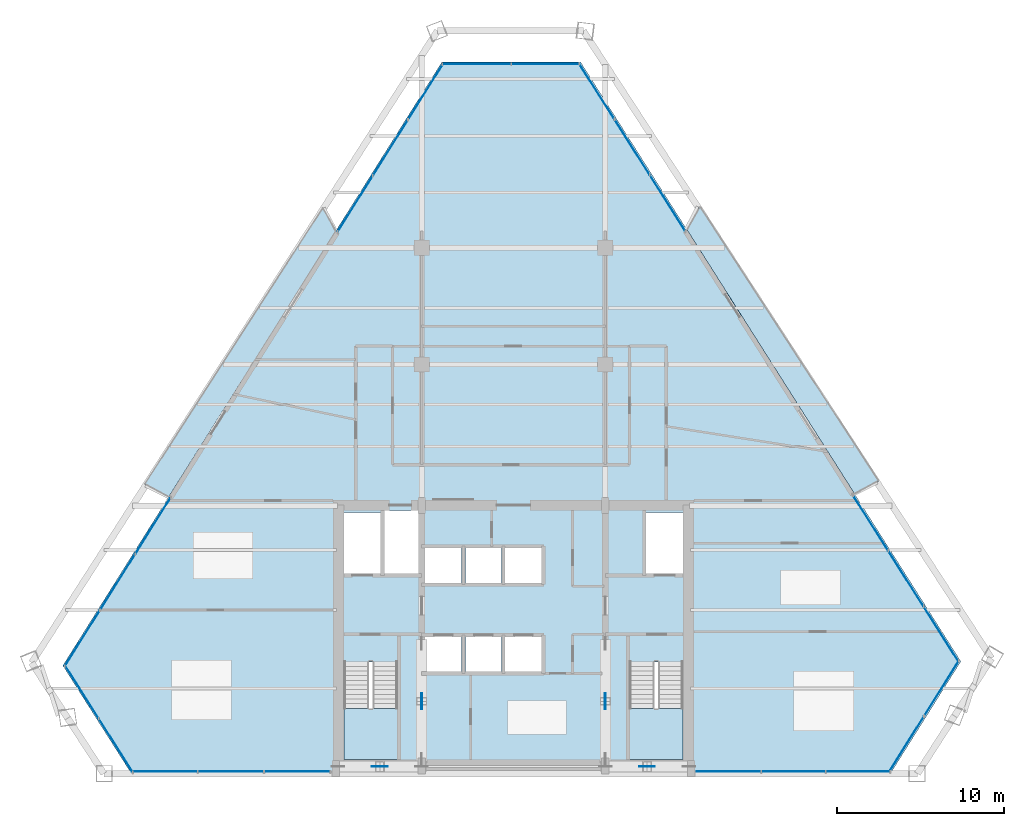
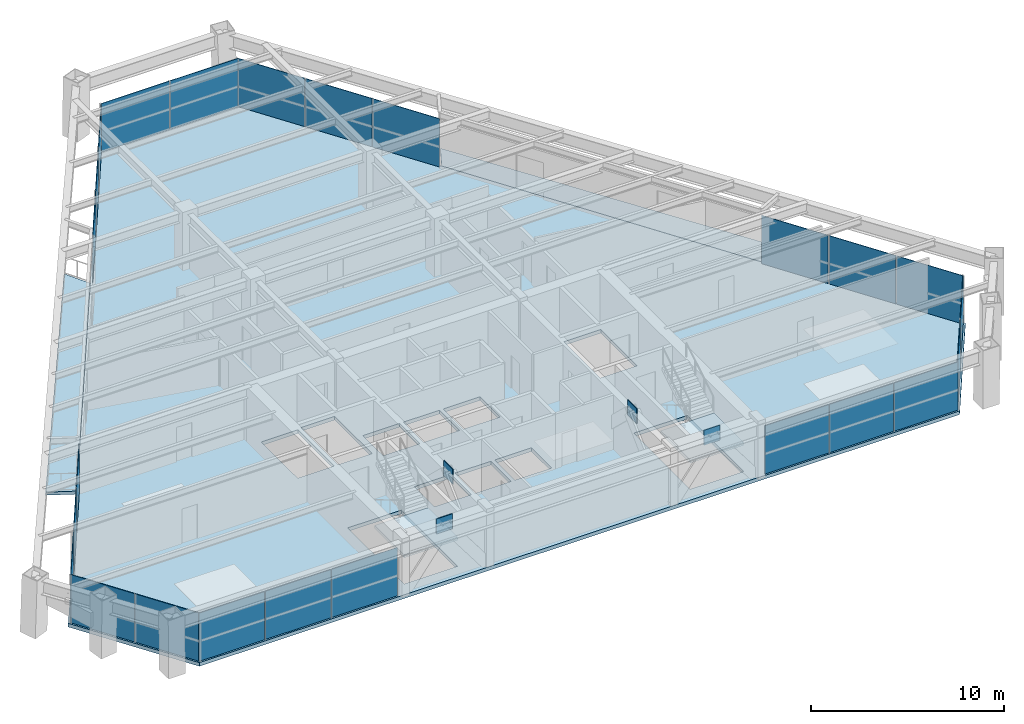
# One storey, part 10 of 15: 28 plates, 5 slabs, 11 elements without a shape of their own.
"""IFC4 building model written with IfcOpenShell, lengths in metres."""

from ifc_helpers import new_model, si_unit, direction, frame, origin, origin_2d, place, context, subcontext, project, spatial, polyline, rectangle, outline, extrude, source, transform, mapped, material, layer, layer_set, type_object, element, aggregate, save


model = new_model("IFC4")

# Units and contexts
model_context = context("Model", 3, precision=1e-05, world=origin(), true_north=direction((0.0, 1.0)))
body_context = subcontext(model_context, "Body", "Model", "MODEL_VIEW")
ifc_project = project(units=[si_unit("LENGTHUNIT", "METRE"), si_unit("AREAUNIT", "SQUARE_METRE"), si_unit("VOLUMEUNIT", "CUBIC_METRE"), si_unit("PLANEANGLEUNIT", "RADIAN"), si_unit("MASSUNIT", "GRAM", prefix="KILO")], contexts=[model_context])

# Site, building, storey
site_placement = place(None, origin())
site = spatial("IfcSite", under=ifc_project, at=site_placement, CompositionType="ELEMENT")
building_placement = place(site_placement, origin())
building = spatial("IfcBuilding", under=site, at=building_placement, Name="Varnakhor Terracotta Tower", CompositionType="ELEMENT")
storey_placement = place(building_placement, frame((0.0, 0.0, 174.699951171875)))
storey = spatial("IfcBuildingStorey", under=building, at=storey_placement, Name="L44", CompositionType="ELEMENT", Elevation=174.699951171875)

# Stair, slab
ifc_material_1 = material(Name="Concrete C40/50", Category="concrete")
stair_type = type_object("IfcStairType", Name="STR-CORE-OFFICE-1500", PredefinedType="HALF_TURN_STAIR", material=ifc_material_1)
stair_1_placement = place(storey_placement, origin())
stair_1 = element("IfcStair", 1, at=stair_1_placement, inside=storey, type_object=stair_type, Name="L44 Core Exit Stair ST-1", PredefinedType="HALF_TURN_STAIR")
ifc_layer_1 = layer(ifc_material_1, 0.179931640625, Name="Concrete C40/50")
ifc_layer_set_1 = layer_set([ifc_layer_1], Name="Concrete C40/50")
slab_type_1 = type_object("IfcSlabType", Name="SLB-LANDING-180", PredefinedType="LANDING", material=ifc_layer_set_1)
slab_1_placement = place(storey_placement, frame((0.0, 0.0, 1.650146484375)))
slab_1 = element("IfcSlab", 2, at=slab_1_placement, type_object=slab_type_1, Name="ST-1 landing 1", PredefinedType="LANDING", context=body_context, shape_type="SweptSolid", body=[
    extrude(outline(polyline([(-10.14990234375, 3.909912109375), (-10.14990234375, 0.85009765625), (-6.949951171875, 0.85009765625), (-6.949951171875, 3.909912109375), (-10.14990234375, 3.909912109375)])), origin(), (0.0, 0.0, 1.0), 0.199951171875),
])
aggregate(stair_1, [slab_1])

stair_2_placement = place(storey_placement, origin())
stair_2 = element("IfcStair", 3, at=stair_2_placement, inside=storey, type_object=stair_type, Name="L44 Core Exit Stair ST-2", PredefinedType="HALF_TURN_STAIR")
slab_2_placement = place(storey_placement, frame((0.0, 0.0, 1.650146484375)))
slab_2 = element("IfcSlab", 4, at=slab_2_placement, type_object=slab_type_1, Name="ST-2 landing 1", PredefinedType="LANDING", context=body_context, shape_type="SweptSolid", body=[
    extrude(outline(polyline([(6.949951171875, 3.909912109375), (6.949951171875, 0.85009765625), (10.14990234375, 0.85009765625), (10.14990234375, 3.909912109375), (6.949951171875, 3.909912109375)])), origin(), (0.0, 0.0, 1.0), 0.199951171875),
])
aggregate(stair_2, [slab_2])

# Slabs
ifc_layer_2 = layer(ifc_material_1, 0.195068359375, Name="Concrete C40/50")
ifc_layer_set_2 = layer_set([ifc_layer_2], Name="Concrete C40/50")
slab_type_2 = type_object("IfcSlabType", Name="SLB-LOGGIA-EXT-195", PredefinedType="FLOOR", material=ifc_layer_set_2)
slab_3_placement = place(storey_placement, frame((0.0, 0.0, -0.195068359375)))
element("IfcSlab", 5, at=slab_3_placement, inside=storey, type_object=slab_type_2, Name="L44 E Recessed Outdoor Loggia Slab", PredefinedType="FLOOR", context=body_context, shape_type="SweptSolid", body=[
    extrude(outline(polyline([(11.142578125, 33.981689453125), (21.867919921875, 17.5009765625), (20.417724609375, 16.76806640625), (13.406494140625, 27.818359375), (10.398681640625, 32.558837890625), (11.142578125, 33.981689453125)])), origin(), (0.0, 0.0, 1.0), 0.195068359375),
])
slab_4_placement = place(storey_placement, frame((0.0, 0.0, -0.195068359375)))
element("IfcSlab", 6, at=slab_4_placement, inside=storey, type_object=slab_type_2, Name="L44 W Recessed Outdoor Loggia Slab", PredefinedType="FLOOR", context=body_context, shape_type="SweptSolid", body=[
    extrude(outline(polyline([(-22.09619140625, 17.313720703125), (-11.398193359375, 33.908935546875), (-10.65087890625, 32.489013671875), (-20.637939453125, 16.588623046875), (-22.09619140625, 17.313720703125)])), origin(), (0.0, 0.0, 1.0), 0.195068359375),
])
ifc_layer_3 = layer(ifc_material_1, 0.22998046875, Name="Concrete C40/50")
ifc_layer_set_3 = layer_set([ifc_layer_3], Name="Concrete C40/50")
slab_type_3 = type_object("IfcSlabType", Name="SLB-OFF-230", PredefinedType="FLOOR", material=ifc_layer_set_3)
slab_5_placement = place(storey_placement, frame((0.0, 0.0, -0.22998046875)))
element("IfcSlab", 7, at=slab_5_placement, inside=storey, type_object=slab_type_3, Name="L44 Structural Floor Slab", PredefinedType="FLOOR", context=body_context, shape_type="SweptSolid", body=[
    extrude(outline(polyline([(-26.9931640625, 6.47021484375), (-4.2958984375, 42.607666015625), (4.022705078125, 42.607666015625), (26.793701171875, 6.71923828125), (22.5732421875, 0.0), (-22.8876953125, 0.0), (-26.9931640625, 6.47021484375)]), holes=[polyline([(-6.949951171875, 0.85009765625), (-6.949951171875, 6.695068359375), (-10.14990234375, 6.695068359375), (-10.14990234375, 0.85009765625), (-6.949951171875, 0.85009765625)]), polyline([(-3.10009765625, 6.10009765625), (-3.10009765625, 8.199951171875), (-5.300048828125, 8.199951171875), (-5.300048828125, 6.10009765625), (-3.10009765625, 6.10009765625)]), polyline([(-0.719970703125, 6.10009765625), (-0.719970703125, 8.199951171875), (-2.8798828125, 8.199951171875), (-2.8798828125, 6.10009765625), (-0.719970703125, 6.10009765625)]), polyline([(-5.300048828125, 11.419921875), (-3.10009765625, 11.419921875), (-3.10009765625, 13.52001953125), (-5.300048828125, 13.52001953125), (-5.300048828125, 11.419921875)]), polyline([(-10.14990234375, 11.8798828125), (-7.949951171875, 11.8798828125), (-7.949951171875, 15.64990234375), (-10.14990234375, 15.64990234375), (-10.14990234375, 11.8798828125)]), polyline([(-5.699951171875, 11.8798828125), (-5.699951171875, 15.75), (-7.72998046875, 15.75), (-7.72998046875, 11.8798828125), (-5.699951171875, 11.8798828125)]), polyline([(6.949951171875, 0.85009765625), (10.14990234375, 0.85009765625), (10.14990234375, 6.695068359375), (6.949951171875, 6.695068359375), (6.949951171875, 0.85009765625)]), polyline([(-0.5, 6.10009765625), (1.699951171875, 6.10009765625), (1.699951171875, 8.199951171875), (-0.5, 8.199951171875), (-0.5, 6.10009765625)]), polyline([(-0.719970703125, 11.419921875), (-0.719970703125, 13.52001953125), (-2.8798828125, 13.52001953125), (-2.8798828125, 11.419921875), (-0.719970703125, 11.419921875)]), polyline([(-0.5, 11.419921875), (1.699951171875, 11.419921875), (1.699951171875, 13.52001953125), (-0.5, 13.52001953125), (-0.5, 11.419921875)]), polyline([(7.949951171875, 11.8798828125), (10.14990234375, 11.8798828125), (10.14990234375, 15.64990234375), (7.949951171875, 15.64990234375), (7.949951171875, 11.8798828125)])]), origin(), (0.0, 0.0, 1.0), 0.22998046875),
])

# Plates
ifc_material_2 = material(Name="Steel S460", Category="steel")
ifc_layer_4 = layer(ifc_material_2, 0.050048828125, Name="Steel S460")
ifc_layer_set_4 = layer_set([ifc_layer_4], Name="Steel S460")
plate_type_1 = type_object("IfcPlateType", Name="PLT-GUSSET-50", PredefinedType="USERDEFINED", material=ifc_layer_set_4)
shared_shape_1 = source(origin(), body_context, "Body", "SweptSolid", [
    extrude(rectangle(XDim=0.949951171875, YDim=0.044921875, at=origin_2d()), origin(), (0.0, 0.0, 1.0), 0.949951171875),
])
for number, where, z_axis, x_axis, name in (
    (8, (-8.0, 0.419921875, 2.84521484375), (0.0, 0.0, 1.0), (1.0, 0.0, 0.0), "L44 Core Brace Apex Gusset CSW"),
    (9, (8.0, 0.419921875, 2.84521484375), (0.0, 0.0, 1.0), (1.0, 0.0, 0.0), "L44 Core Brace Apex Gusset CSE"),
    (10, (-5.5, 4.324951171875, 2.84521484375), (0.0, 0.0, 1.0), (0.0, 1.0, 0.0), "L44 Core Brace Apex Gusset CWW"),
    (11, (5.5, 4.324951171875, 2.84521484375), (0.0, 0.0, 1.0), (0.0, 1.0, 0.0), "L44 Core Brace Apex Gusset CWE"),
):
    element("IfcPlate", number, at=place(storey_placement, frame(where, z_axis=z_axis, x_axis=x_axis)), inside=storey, type_object=plate_type_1, Name=name, ObjectType="GUSSET PLATE", PredefinedType="USERDEFINED", context=body_context, shape_type="MappedRepresentation", body=[
        mapped(shared_shape_1, transform((0.0, 0.0, 0.0), scale=1.0)),
    ])

# Curtain wall, plates
ifc_material_3 = material(Name="Anodised Aluminium Curtain Wall System", Category="aluminium")
curtain_wall_type = type_object("IfcCurtainWallType", Name="CW-SYS-MID-OFFICE", PredefinedType="NOTDEFINED", material=ifc_material_3)
curtain_wall_1_placement = place(storey_placement, origin())
curtain_wall_1 = element("IfcCurtainWall", 12, at=curtain_wall_1_placement, inside=storey, type_object=curtain_wall_type, Name="L44 W Facet Curtain Wall 1", PredefinedType="NOTDEFINED")
ifc_material_4 = material(Name="Solar-Control Low-E Insulated Glass Panel", Category="glass")
ifc_layer_5 = layer(ifc_material_4, 0.035888671875, Name="Solar-Control Low-E Insulated Glass Panel")
ifc_layer_set_5 = layer_set([ifc_layer_5], Name="Solar-Control Low-E Insulated Glass Panel")
plate_type_2 = type_object("IfcPlateType", Name="CWP-03", PredefinedType="CURTAIN_PANEL", material=ifc_layer_set_5)
shared_shape_2 = source(origin(), body_context, "Body", "SweptSolid", [
    extrude(rectangle(XDim=3.9228515625, YDim=0.035888671875, at=origin_2d()), origin(), (0.0, 0.0, 1.0), 3.050048828125),
])
plate_1_placement = place(storey_placement, frame((-25.821533203125, 8.10986328125, 0.0), z_axis=(0.0, 0.0, 1.0), x_axis=(0.531871618749, 0.846825000322, 0.0)))
plate_1 = element("IfcPlate", 13, at=plate_1_placement, type_object=plate_type_2, Name="L44 W Facet Curtain Wall 1 Glazed Panel 1", PredefinedType="CURTAIN_PANEL", context=body_context, shape_type="MappedRepresentation", body=[
    mapped(shared_shape_2, transform((0.0, 0.0, 0.0), scale=1.0)),
])
plate_2_placement = place(storey_placement, frame((-23.7138671875, 11.4658203125, 0.0), z_axis=(0.0, 0.0, 1.0), x_axis=(0.531871618749, 0.846825000322, 0.0)))
plate_2 = element("IfcPlate", 14, at=plate_2_placement, type_object=plate_type_2, Name="L44 W Facet Curtain Wall 1 Glazed Panel 2", PredefinedType="CURTAIN_PANEL", context=body_context, shape_type="MappedRepresentation", body=[
    mapped(shared_shape_2, transform((0.0, 0.0, 0.0), scale=1.0)),
])
plate_3_placement = place(storey_placement, frame((-21.606201171875, 14.821533203125, 0.0), z_axis=(0.0, 0.0, 1.0), x_axis=(0.531871618749, 0.846825000322, 0.0)))
plate_3 = element("IfcPlate", 15, at=plate_3_placement, type_object=plate_type_2, Name="L44 W Facet Curtain Wall 1 Glazed Panel 3", PredefinedType="CURTAIN_PANEL", context=body_context, shape_type="MappedRepresentation", body=[
    mapped(shared_shape_2, transform((0.0, 0.0, 0.0), scale=1.0)),
])
aggregate(curtain_wall_1, [plate_1, plate_2, plate_3])

curtain_wall_2_placement = place(storey_placement, origin())
curtain_wall_2 = element("IfcCurtainWall", 16, at=curtain_wall_2_placement, inside=storey, type_object=curtain_wall_type, Name="L44 W Facet Curtain Wall 2", PredefinedType="NOTDEFINED")
plate_4_placement = place(storey_placement, frame((-9.4794921875, 34.128662109375, 0.0), z_axis=(0.0, 0.0, 1.0), x_axis=(0.531871618749, 0.846825000322, 0.0)))
plate_4 = element("IfcPlate", 17, at=plate_4_placement, type_object=plate_type_2, Name="L44 W Facet Curtain Wall 2 Glazed Panel 1", PredefinedType="CURTAIN_PANEL", context=body_context, shape_type="MappedRepresentation", body=[
    mapped(shared_shape_2, transform((0.0, 0.0, 0.0), scale=1.0)),
])
plate_5_placement = place(storey_placement, frame((-7.371826171875, 37.484619140625, 0.0), z_axis=(0.0, 0.0, 1.0), x_axis=(0.531871618749, 0.846825000322, 0.0)))
plate_5 = element("IfcPlate", 18, at=plate_5_placement, type_object=plate_type_2, Name="L44 W Facet Curtain Wall 2 Glazed Panel 2", PredefinedType="CURTAIN_PANEL", context=body_context, shape_type="MappedRepresentation", body=[
    mapped(shared_shape_2, transform((0.0, 0.0, 0.0), scale=1.0)),
])
plate_6_placement = place(storey_placement, frame((-5.263916015625, 40.840576171875, 0.0), z_axis=(0.0, 0.0, 1.0), x_axis=(0.531871618749, 0.846825000322, 0.0)))
plate_6 = element("IfcPlate", 19, at=plate_6_placement, type_object=plate_type_2, Name="L44 W Facet Curtain Wall 2 Glazed Panel 3", PredefinedType="CURTAIN_PANEL", context=body_context, shape_type="MappedRepresentation", body=[
    mapped(shared_shape_2, transform((0.0, 0.0, 0.0), scale=1.0)),
])
aggregate(curtain_wall_2, [plate_4, plate_5, plate_6])

curtain_wall_3_placement = place(storey_placement, origin())
curtain_wall_3 = element("IfcCurtainWall", 20, at=curtain_wall_3_placement, inside=storey, type_object=curtain_wall_type, Name="L44 Facet Curtain Wall 2", PredefinedType="NOTDEFINED")
shared_shape_3 = source(origin(), body_context, "Body", "SweptSolid", [
    extrude(rectangle(XDim=4.08935546875, YDim=0.035888671875, at=origin_2d()), origin(), (0.0, 0.0, 1.0), 3.050048828125),
])
plate_7_placement = place(storey_placement, frame((-2.201171875, 42.487548828125, 0.0), z_axis=(0.0, 0.0, 1.0), x_axis=(1.0, 0.0, 0.0)))
plate_7 = element("IfcPlate", 21, at=plate_7_placement, type_object=plate_type_2, Name="L44 Facet Curtain Wall 2 Glazed Panel 1", PredefinedType="CURTAIN_PANEL", context=body_context, shape_type="MappedRepresentation", body=[
    mapped(shared_shape_3, transform((0.0, 0.0, 0.0), scale=1.0)),
])
shared_shape_4 = source(origin(), body_context, "Body", "SweptSolid", [
    extrude(rectangle(XDim=4.089111328125, YDim=0.035888671875, at=origin_2d()), origin(), (0.0, 0.0, 1.0), 3.050048828125),
])
plate_8_placement = place(storey_placement, frame((1.927978515625, 42.487548828125, 0.0), z_axis=(0.0, 0.0, 1.0), x_axis=(1.0, 0.0, 0.0)))
plate_8 = element("IfcPlate", 22, at=plate_8_placement, type_object=plate_type_2, Name="L44 Facet Curtain Wall 2 Glazed Panel 2", PredefinedType="CURTAIN_PANEL", context=body_context, shape_type="MappedRepresentation", body=[
    mapped(shared_shape_4, transform((0.0, 0.0, 0.0), scale=1.0)),
])
aggregate(curtain_wall_3, [plate_7, plate_8])

curtain_wall_4_placement = place(storey_placement, origin())
curtain_wall_4 = element("IfcCurtainWall", 23, at=curtain_wall_4_placement, inside=storey, type_object=curtain_wall_type, Name="L44 E Facet Curtain Wall 1", PredefinedType="NOTDEFINED")
shared_shape_5 = source(origin(), body_context, "Body", "SweptSolid", [
    extrude(rectangle(XDim=3.906982421875, YDim=0.035888671875, at=origin_2d()), origin(), (0.0, 0.0, 1.0), 3.050048828125),
])
plate_9_placement = place(storey_placement, frame((4.99462890625, 40.8515625, 0.0), z_axis=(0.0, 0.0, 1.0), x_axis=(0.535753111427, -0.844374681996, 0.0)))
plate_9 = element("IfcPlate", 24, at=plate_9_placement, type_object=plate_type_2, Name="L44 E Facet Curtain Wall 1 Glazed Panel 1", PredefinedType="CURTAIN_PANEL", context=body_context, shape_type="MappedRepresentation", body=[
    mapped(shared_shape_5, transform((0.0, 0.0, 0.0), scale=1.0)),
])
plate_10_placement = place(storey_placement, frame((7.109375, 37.51904296875, 0.0), z_axis=(0.0, 0.0, 1.0), x_axis=(0.535753111427, -0.844374681996, 0.0)))
plate_10 = element("IfcPlate", 25, at=plate_10_placement, type_object=plate_type_2, Name="L44 E Facet Curtain Wall 1 Glazed Panel 2", PredefinedType="CURTAIN_PANEL", context=body_context, shape_type="MappedRepresentation", body=[
    mapped(shared_shape_5, transform((0.0, 0.0, 0.0), scale=1.0)),
])
plate_11_placement = place(storey_placement, frame((9.223876953125, 34.186279296875, 0.0), z_axis=(0.0, 0.0, 1.0), x_axis=(0.535753111427, -0.844374681996, 0.0)))
plate_11 = element("IfcPlate", 26, at=plate_11_placement, type_object=plate_type_2, Name="L44 E Facet Curtain Wall 1 Glazed Panel 3", PredefinedType="CURTAIN_PANEL", context=body_context, shape_type="MappedRepresentation", body=[
    mapped(shared_shape_5, transform((0.0, 0.0, 0.0), scale=1.0)),
])
aggregate(curtain_wall_4, [plate_9, plate_10, plate_11])

curtain_wall_5_placement = place(storey_placement, origin())
curtain_wall_5 = element("IfcCurtainWall", 27, at=curtain_wall_5_placement, inside=storey, type_object=curtain_wall_type, Name="L44 E Facet Curtain Wall 2", PredefinedType="NOTDEFINED")
plate_12_placement = place(storey_placement, frame((21.389892578125, 15.01220703125, 0.0), z_axis=(0.0, 0.0, 1.0), x_axis=(0.535753111427, -0.844374681996, 0.0)))
plate_12 = element("IfcPlate", 28, at=plate_12_placement, type_object=plate_type_2, Name="L44 E Facet Curtain Wall 2 Glazed Panel 1", PredefinedType="CURTAIN_PANEL", context=body_context, shape_type="MappedRepresentation", body=[
    mapped(shared_shape_5, transform((0.0, 0.0, 0.0), scale=1.0)),
])
plate_13_placement = place(storey_placement, frame((23.50439453125, 11.67919921875, 0.0), z_axis=(0.0, 0.0, 1.0), x_axis=(0.535753111427, -0.844374681996, 0.0)))
plate_13 = element("IfcPlate", 29, at=plate_13_placement, type_object=plate_type_2, Name="L44 E Facet Curtain Wall 2 Glazed Panel 2", PredefinedType="CURTAIN_PANEL", context=body_context, shape_type="MappedRepresentation", body=[
    mapped(shared_shape_5, transform((0.0, 0.0, 0.0), scale=1.0)),
])
plate_14_placement = place(storey_placement, frame((25.618896484375, 8.3466796875, 0.0), z_axis=(0.0, 0.0, 1.0), x_axis=(0.535753111427, -0.844374681996, 0.0)))
plate_14 = element("IfcPlate", 30, at=plate_14_placement, type_object=plate_type_2, Name="L44 E Facet Curtain Wall 2 Glazed Panel 3", PredefinedType="CURTAIN_PANEL", context=body_context, shape_type="MappedRepresentation", body=[
    mapped(shared_shape_5, transform((0.0, 0.0, 0.0), scale=1.0)),
])
aggregate(curtain_wall_5, [plate_12, plate_13, plate_14])

curtain_wall_6_placement = place(storey_placement, origin())
curtain_wall_6 = element("IfcCurtainWall", 31, at=curtain_wall_6_placement, inside=storey, type_object=curtain_wall_type, Name="L44 Facet Curtain Wall 4", PredefinedType="NOTDEFINED")
shared_shape_6 = source(origin(), body_context, "Body", "SweptSolid", [
    extrude(rectangle(XDim=3.897216796875, YDim=0.035888671875, at=origin_2d()), origin(), (0.0, 0.0, 1.0), 3.050048828125),
])
plate_15_placement = place(storey_placement, frame((25.62890625, 5.090576171875, 0.0), z_axis=(0.0, 0.0, 1.0), x_axis=(-0.531871618749, -0.846825000322, 0.0)))
plate_15 = element("IfcPlate", 32, at=plate_15_placement, type_object=plate_type_2, Name="L44 Facet Curtain Wall 4 Glazed Panel 1", PredefinedType="CURTAIN_PANEL", context=body_context, shape_type="MappedRepresentation", body=[
    mapped(shared_shape_6, transform((0.0, 0.0, 0.0), scale=1.0)),
])
shared_shape_7 = source(origin(), body_context, "Body", "SweptSolid", [
    extrude(rectangle(XDim=3.8974609375, YDim=0.035888671875, at=origin_2d()), origin(), (0.0, 0.0, 1.0), 3.050048828125),
])
plate_16_placement = place(storey_placement, frame((23.53466796875, 1.75634765625, 0.0), z_axis=(0.0, 0.0, 1.0), x_axis=(-0.531871618749, -0.846825000322, 0.0)))
plate_16 = element("IfcPlate", 33, at=plate_16_placement, type_object=plate_type_2, Name="L44 Facet Curtain Wall 4 Glazed Panel 2", PredefinedType="CURTAIN_PANEL", context=body_context, shape_type="MappedRepresentation", body=[
    mapped(shared_shape_7, transform((0.0, 0.0, 0.0), scale=1.0)),
])
aggregate(curtain_wall_6, [plate_15, plate_16])

curtain_wall_7_placement = place(storey_placement, origin())
curtain_wall_7 = element("IfcCurtainWall", 34, at=curtain_wall_7_placement, inside=storey, type_object=curtain_wall_type, Name="L44 South Wing Curtain Wall SSE", PredefinedType="NOTDEFINED")
shared_shape_8 = source(origin(), body_context, "Body", "SweptSolid", [
    extrude(rectangle(XDim=3.824462890625, YDim=0.035888671875, at=origin_2d()), origin(), (0.0, 0.0, 1.0), 3.050048828125),
])
plate_17_placement = place(storey_placement, frame((20.631103515625, 0.1201171875, 0.0), z_axis=(0.0, 0.0, 1.0), x_axis=(-1.0, 0.0, 0.0)))
plate_17 = element("IfcPlate", 35, at=plate_17_placement, type_object=plate_type_2, Name="L44 South Wing Curtain Wall SSE Glazed Panel 1", PredefinedType="CURTAIN_PANEL", context=body_context, shape_type="MappedRepresentation", body=[
    mapped(shared_shape_8, transform((0.0, 0.0, 0.0), scale=1.0)),
])
plate_18_placement = place(storey_placement, frame((16.7666015625, 0.1201171875, 0.0), z_axis=(0.0, 0.0, 1.0), x_axis=(-1.0, 0.0, 0.0)))
plate_18 = element("IfcPlate", 36, at=plate_18_placement, type_object=plate_type_2, Name="L44 South Wing Curtain Wall SSE Glazed Panel 2", PredefinedType="CURTAIN_PANEL", context=body_context, shape_type="MappedRepresentation", body=[
    mapped(shared_shape_8, transform((0.0, 0.0, 0.0), scale=1.0)),
])
plate_19_placement = place(storey_placement, frame((12.902099609375, 0.1201171875, 0.0), z_axis=(0.0, 0.0, 1.0), x_axis=(-1.0, 0.0, 0.0)))
plate_19 = element("IfcPlate", 37, at=plate_19_placement, type_object=plate_type_2, Name="L44 South Wing Curtain Wall SSE Glazed Panel 3", PredefinedType="CURTAIN_PANEL", context=body_context, shape_type="MappedRepresentation", body=[
    mapped(shared_shape_8, transform((0.0, 0.0, 0.0), scale=1.0)),
])
aggregate(curtain_wall_7, [plate_17, plate_18, plate_19])

curtain_wall_8_placement = place(storey_placement, origin())
curtain_wall_8 = element("IfcCurtainWall", 38, at=curtain_wall_8_placement, inside=storey, type_object=curtain_wall_type, Name="L44 South Wing Curtain Wall SSW", PredefinedType="NOTDEFINED")
shared_shape_9 = source(origin(), body_context, "Body", "SweptSolid", [
    extrude(rectangle(XDim=3.92919921875, YDim=0.035888671875, at=origin_2d()), origin(), (0.0, 0.0, 1.0), 3.050048828125),
])
plate_20_placement = place(storey_placement, frame((-12.95458984375, 0.1201171875, 0.0), z_axis=(0.0, 0.0, 1.0), x_axis=(-1.0, 0.0, 0.0)))
plate_20 = element("IfcPlate", 39, at=plate_20_placement, type_object=plate_type_2, Name="L44 South Wing Curtain Wall SSW Glazed Panel 1", PredefinedType="CURTAIN_PANEL", context=body_context, shape_type="MappedRepresentation", body=[
    mapped(shared_shape_9, transform((0.0, 0.0, 0.0), scale=1.0)),
])
plate_21_placement = place(storey_placement, frame((-16.923828125, 0.1201171875, 0.0), z_axis=(0.0, 0.0, 1.0), x_axis=(-1.0, 0.0, 0.0)))
plate_21 = element("IfcPlate", 40, at=plate_21_placement, type_object=plate_type_2, Name="L44 South Wing Curtain Wall SSW Glazed Panel 2", PredefinedType="CURTAIN_PANEL", context=body_context, shape_type="MappedRepresentation", body=[
    mapped(shared_shape_9, transform((0.0, 0.0, 0.0), scale=1.0)),
])
plate_22_placement = place(storey_placement, frame((-20.89306640625, 0.1201171875, 0.0), z_axis=(0.0, 0.0, 1.0), x_axis=(-1.0, 0.0, 0.0)))
plate_22 = element("IfcPlate", 41, at=plate_22_placement, type_object=plate_type_2, Name="L44 South Wing Curtain Wall SSW Glazed Panel 3", PredefinedType="CURTAIN_PANEL", context=body_context, shape_type="MappedRepresentation", body=[
    mapped(shared_shape_9, transform((0.0, 0.0, 0.0), scale=1.0)),
])
aggregate(curtain_wall_8, [plate_20, plate_21, plate_22])

curtain_wall_9_placement = place(storey_placement, origin())
curtain_wall_9 = element("IfcCurtainWall", 42, at=curtain_wall_9_placement, inside=storey, type_object=curtain_wall_type, Name="L44 Facet Curtain Wall 6", PredefinedType="NOTDEFINED")
shared_shape_10 = source(origin(), body_context, "Body", "SweptSolid", [
    extrude(rectangle(XDim=3.761474609375, YDim=0.035888671875, at=origin_2d()), origin(), (0.0, 0.0, 1.0), 3.050048828125),
])
plate_23_placement = place(storey_placement, frame((-23.82080078125, 1.694580078125, 0.0), z_axis=(0.0, 0.0, 1.0), x_axis=(-0.535753111427, 0.844374681996, 0.0)))
plate_23 = element("IfcPlate", 43, at=plate_23_placement, type_object=plate_type_2, Name="L44 Facet Curtain Wall 6 Glazed Panel 1", PredefinedType="CURTAIN_PANEL", context=body_context, shape_type="MappedRepresentation", body=[
    mapped(shared_shape_10, transform((0.0, 0.0, 0.0), scale=1.0)),
])
plate_24_placement = place(storey_placement, frame((-25.857421875, 4.904296875, 0.0), z_axis=(0.0, 0.0, 1.0), x_axis=(-0.535753111427, 0.844374681996, 0.0)))
plate_24 = element("IfcPlate", 44, at=plate_24_placement, type_object=plate_type_2, Name="L44 Facet Curtain Wall 6 Glazed Panel 2", PredefinedType="CURTAIN_PANEL", context=body_context, shape_type="MappedRepresentation", body=[
    mapped(shared_shape_10, transform((0.0, 0.0, 0.0), scale=1.0)),
])
aggregate(curtain_wall_9, [plate_23, plate_24])

save(model, "model.ifc")
